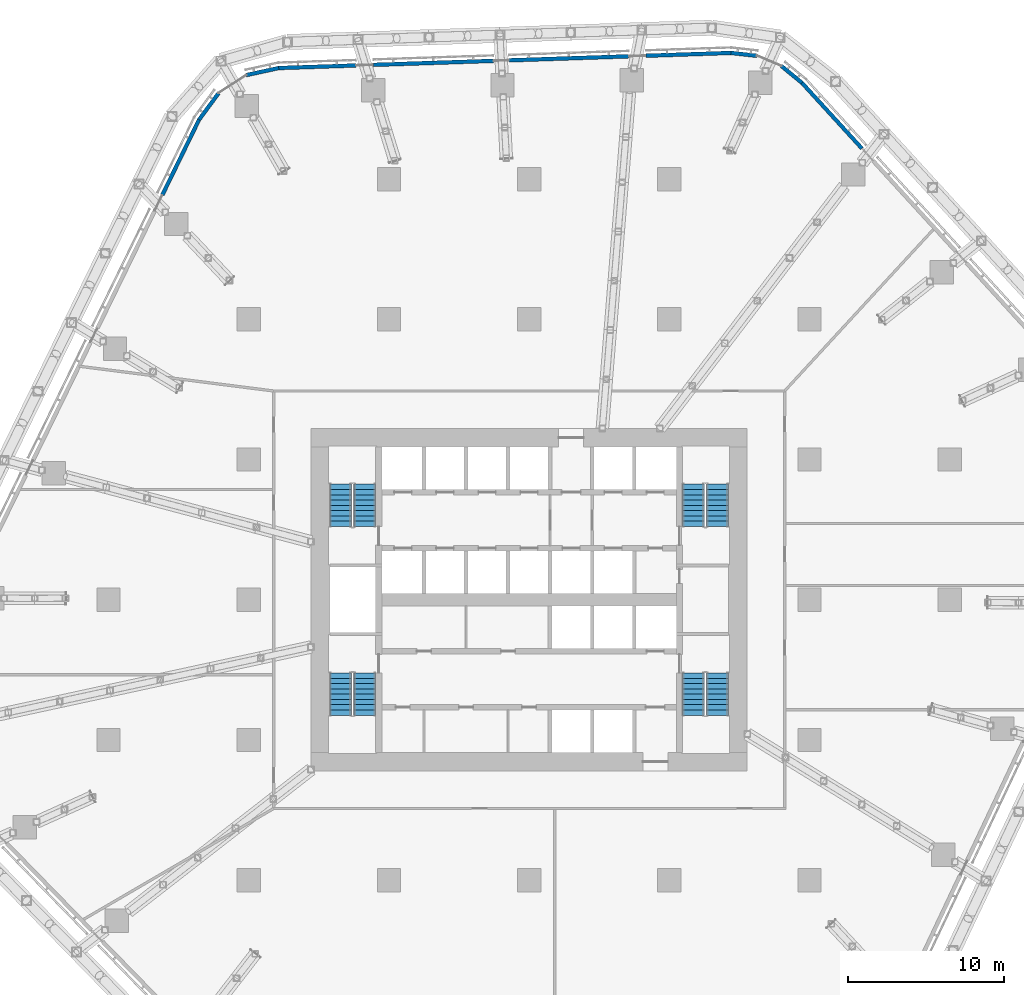
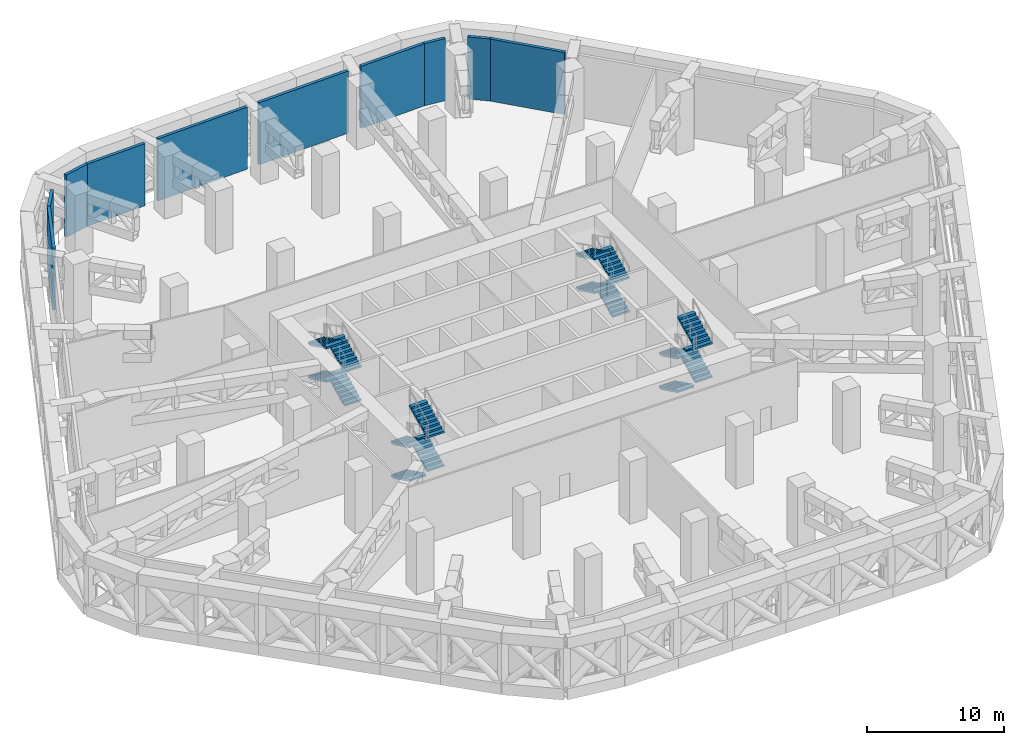
# One storey, part 20 of 38: 16 stair flights, 10 walls, 4 elements without a shape of their own.
"""IFC4 building model written with IfcOpenShell, lengths in metres."""

from ifc_helpers import new_model, si_unit, direction, frame, frame_2d, origin, place, context, subcontext, project, spatial, polyline, rectangle, outline, extrude, material, layer, layer_set, type_object, element, aggregate, save


model = new_model("IFC4")

# Units and contexts
model_context = context("Model", 3, precision=1e-05, world=origin(), true_north=direction((0.0, 1.0)))
body_context = subcontext(model_context, "Body", "Model", "MODEL_VIEW")
ifc_project = project(units=[si_unit("LENGTHUNIT", "METRE"), si_unit("AREAUNIT", "SQUARE_METRE"), si_unit("VOLUMEUNIT", "CUBIC_METRE"), si_unit("PLANEANGLEUNIT", "RADIAN"), si_unit("MASSUNIT", "GRAM", prefix="KILO")], contexts=[model_context])

# Site, building, storey
site_placement = place(None, origin())
site = spatial("IfcSite", under=ifc_project, at=site_placement, CompositionType="ELEMENT")
building_placement = place(site_placement, origin())
building = spatial("IfcBuilding", under=site, at=building_placement, Name="Dongbaek Canopy Tower", CompositionType="ELEMENT")
storey_placement = place(building_placement, frame((0.0, 0.0, 89.199951171875)))
storey = spatial("IfcBuildingStorey", under=building, at=storey_placement, Name="L18", CompositionType="ELEMENT", Elevation=89.199951171875)

# Walls
ifc_material_1 = material(Name="Pale metal cladding on insulated wall")
ifc_layer_1 = layer(ifc_material_1, 0.25)
ifc_layer_set_1 = layer_set([ifc_layer_1], Name="Plant floor wall 250")
wall_type = type_object("IfcWallType", Name="Plant floor wall 250", PredefinedType="SOLIDWALL", material=ifc_layer_set_1)
wall_1_placement = place(storey_placement, frame((21.3662109375, 28.969482421875, 0.0), z_axis=(0.0, 0.0, 1.0), x_axis=(-0.674655437401, 0.73813280701, 0.0)))
element("IfcWall", 1, at=wall_1_placement, inside=storey, type_object=wall_type, Name="Plant wall L18 F0 4", PredefinedType="SOLIDWALL", context=body_context, shape_type="SweptSolid", body=[
    extrude(rectangle(XDim=5.71142578125, YDim=0.25, at=frame_2d((2.855712890625, 0.0))), origin(), (0.0, 0.0, 1.0), 5.550048828125),
])
for number, where, z_axis, x_axis, name in (
    (2, (17.512939453125, 33.185302734375, 0.0), (0.0, 0.0, 1.0), (-0.773515598628, 0.633777262671, 0.0), "Plant wall L18 K1 1"),
    (3, (14.63818359375, 34.919189453125, 0.0), (0.0, 0.0, 1.0), (-0.993899486222, 0.110289669906, 0.0), "Plant wall L18 K1 2"),
):
    element("IfcWall", number, at=place(storey_placement, frame(where, z_axis=z_axis, x_axis=x_axis)), inside=storey, type_object=wall_type, Name=name, PredefinedType="SOLIDWALL", context=body_context, shape_type="SweptSolid", body=[
        extrude(rectangle(XDim=1.699951171875, YDim=0.25, at=frame_2d((0.85009765625, 0.0))), origin(), (0.0, 0.0, 1.0), 5.550048828125),
    ])
wall_2_placement = place(storey_placement, frame((12.948486328125, 35.106689453125, 0.0), z_axis=(0.0, 0.0, 1.0), x_axis=(-0.999441325856, -0.033422091074, 0.0)))
element("IfcWall", 4, at=wall_2_placement, inside=storey, type_object=wall_type, Name="Plant wall L18 F1 1", PredefinedType="SOLIDWALL", context=body_context, shape_type="SweptSolid", body=[
    extrude(rectangle(XDim=5.45654296875, YDim=0.25, at=frame_2d((2.728271484375, 0.0))), origin(), (0.0, 0.0, 1.0), 5.550048828125),
])
wall_3_placement = place(storey_placement, frame((6.396484375, 34.887451171875, 0.0), z_axis=(0.0, 0.0, 1.0), x_axis=(-0.99944120153, -0.033425808646, 0.0)))
element("IfcWall", 5, at=wall_3_placement, inside=storey, type_object=wall_type, Name="Plant wall L18 F1 2", PredefinedType="SOLIDWALL", context=body_context, shape_type="SweptSolid", body=[
    extrude(rectangle(XDim=7.691162109375, YDim=0.25, at=frame_2d((3.845703125, 0.0))), origin(), (0.0, 0.0, 1.0), 5.550048828125),
])
wall_4_placement = place(storey_placement, frame((-2.29736328125, 34.5966796875, 0.0), z_axis=(0.0, 0.0, 1.0), x_axis=(-0.999440043246, -0.033460423742, 0.0)))
element("IfcWall", 6, at=wall_4_placement, inside=storey, type_object=wall_type, Name="Plant wall L18 F1 3", PredefinedType="SOLIDWALL", context=body_context, shape_type="SweptSolid", body=[
    extrude(rectangle(XDim=7.705078125, YDim=0.25, at=frame_2d((3.8525390625, 0.0))), origin(), (0.0, 0.0, 1.0), 5.550048828125),
])
wall_5_placement = place(storey_placement, frame((-11.112060546875, 34.3017578125, 0.0), z_axis=(0.0, 0.0, 1.0), x_axis=(-0.999439161723, -0.033486743869, 0.0)))
element("IfcWall", 7, at=wall_5_placement, inside=storey, type_object=wall_type, Name="Plant wall L18 F1 4", PredefinedType="SOLIDWALL", context=body_context, shape_type="SweptSolid", body=[
    extrude(rectangle(XDim=4.96484375, YDim=0.25, at=frame_2d((2.482421875, 0.0))), origin(), (0.0, 0.0, 1.0), 5.550048828125),
])
for number, where, z_axis, x_axis, name in (
    (8, (-16.07421875, 34.135498046875, 0.0), (0.0, 0.0, 1.0), (-0.977193962175, -0.212348676213, 0.0), "Plant wall L18 K2 1"),
    (9, (-19.931884765625, 32.53076171875, 0.0), (0.0, 0.0, 1.0), (-0.592651038802, -0.805459338643, 0.0), "Plant wall L18 K2 2"),
):
    element("IfcWall", number, at=place(storey_placement, frame(where, z_axis=z_axis, x_axis=x_axis)), inside=storey, type_object=wall_type, Name=name, PredefinedType="SOLIDWALL", context=body_context, shape_type="SweptSolid", body=[
        extrude(rectangle(XDim=2.128173828125, YDim=0.25, at=frame_2d((1.06396484375, 0.0))), origin(), (0.0, 0.0, 1.0), 5.550048828125),
    ])
wall_6_placement = place(storey_placement, frame((-21.193115234375, 30.816650390625, 0.0), z_axis=(0.0, 0.0, 1.0), x_axis=(-0.438321567633, -0.898818225977, 0.0)))
element("IfcWall", 10, at=wall_6_placement, inside=storey, type_object=wall_type, Name="Plant wall L18 F2 1", PredefinedType="SOLIDWALL", context=body_context, shape_type="SweptSolid", body=[
    extrude(rectangle(XDim=5.372802734375, YDim=0.25, at=frame_2d((2.6865234375, 0.0))), origin(), (0.0, 0.0, 1.0), 5.550048828125),
])

# Stair, stair flights
ifc_material_2 = material(Name="Concrete C40/50", Category="concrete")
stair_type = type_object("IfcStairType", Name="Core exit stair", PredefinedType="HALF_TURN_STAIR", material=ifc_material_2)
stair_1_placement = place(storey_placement, origin())
stair_1 = element("IfcStair", 11, at=stair_1_placement, inside=storey, type_object=stair_type, Name="L18 exit stair A", PredefinedType="HALF_TURN_STAIR")
ifc_material_3 = material(Name="Concrete C40/50", Category="concrete")
ifc_layer_2 = layer(ifc_material_3, 0.14990234375)
ifc_layer_set_2 = layer_set([ifc_layer_2], Name="Core stair flight 150 waist")
stair_flight_type = type_object("IfcStairFlightType", Name="Core stair flight 150 waist", PredefinedType="STRAIGHT", material=ifc_layer_set_2)
stair_flight_1_placement = place(storey_placement, frame((12.10009765625, 4.699951171875, 0.0), z_axis=(0.0, 0.0, 1.0), x_axis=(0.0, 1.0, 0.0)))
stair_flight_1 = element("IfcStairFlight", 12, at=stair_flight_1_placement, type_object=stair_flight_type, Name="ST-A flight 1", NumberOfRisers=9, NumberOfTreads=8, PredefinedType="STRAIGHT", RiserHeight=0.166666667, TreadLength=0.34, context=body_context, shape_type="SweptSolid", body=[
    extrude(outline(polyline([(0.0, 0.0), (0.0, 0.166748046875), (0.340087890625, 0.166748046875), (0.340087890625, 0.333251953125), (0.679931640625, 0.333251953125), (0.679931640625, 0.5), (1.02001953125, 0.5), (1.02001953125, 0.666748046875), (1.360107421875, 0.666748046875), (1.360107421875, 0.833251953125), (1.699951171875, 0.833251953125), (1.699951171875, 1.0), (2.0400390625, 1.0), (2.0400390625, 1.166748046875), (2.3798828125, 1.166748046875), (2.3798828125, 1.333251953125), (2.719970703125, 1.333251953125), (2.719970703125, 1.5), (2.719970703125, 1.16650390625), (0.340576171875, 0.0), (0.0, 0.0)])), frame((0.0, 0.699951171875, 0.0), z_axis=(0.0, -1.0, 0.0), x_axis=(1.0, 0.0, 0.0)), (0.0, 0.0, 1.0), 1.39990234375),
])
stair_flight_2_placement = place(storey_placement, frame((10.550048828125, 7.419921875, 1.5), z_axis=(0.0, 0.0, 1.0), x_axis=(0.0, -1.0, 0.0)))
stair_flight_2 = element("IfcStairFlight", 13, at=stair_flight_2_placement, type_object=stair_flight_type, Name="ST-A flight 2", NumberOfRisers=9, NumberOfTreads=8, PredefinedType="STRAIGHT", RiserHeight=0.166666667, TreadLength=0.34, context=body_context, shape_type="SweptSolid", body=[
    extrude(outline(polyline([(0.0, 0.0), (0.0, 0.166748046875), (0.340087890625, 0.166748046875), (0.340087890625, 0.333251953125), (0.679931640625, 0.333251953125), (0.679931640625, 0.5), (1.02001953125, 0.5), (1.02001953125, 0.666748046875), (1.360107421875, 0.666748046875), (1.360107421875, 0.833251953125), (1.699951171875, 0.833251953125), (1.699951171875, 1.0), (2.0400390625, 1.0), (2.0400390625, 1.166748046875), (2.3798828125, 1.166748046875), (2.3798828125, 1.333251953125), (2.719970703125, 1.333251953125), (2.719970703125, 1.5), (2.719970703125, 1.16650390625), (0.340576171875, 0.0), (0.0, 0.0)])), frame((0.0, 0.699951171875, 0.0), z_axis=(0.0, -1.0, 0.0), x_axis=(1.0, 0.0, 0.0)), (0.0, 0.0, 1.0), 1.39990234375),
])
stair_flight_3_placement = place(storey_placement, frame((12.10009765625, 4.699951171875, 3.0), z_axis=(0.0, 0.0, 1.0), x_axis=(0.0, 1.0, 0.0)))
stair_flight_3 = element("IfcStairFlight", 14, at=stair_flight_3_placement, type_object=stair_flight_type, Name="ST-A flight 3", NumberOfRisers=9, NumberOfTreads=8, PredefinedType="STRAIGHT", RiserHeight=0.166666667, TreadLength=0.34, context=body_context, shape_type="SweptSolid", body=[
    extrude(outline(polyline([(0.0, 0.0), (0.0, 0.166748046875), (0.340087890625, 0.166748046875), (0.340087890625, 0.333251953125), (0.679931640625, 0.333251953125), (0.679931640625, 0.5), (1.02001953125, 0.5), (1.02001953125, 0.666748046875), (1.360107421875, 0.666748046875), (1.360107421875, 0.833251953125), (1.699951171875, 0.833251953125), (1.699951171875, 1.0), (2.0400390625, 1.0), (2.0400390625, 1.166748046875), (2.3798828125, 1.166748046875), (2.3798828125, 1.333251953125), (2.719970703125, 1.333251953125), (2.719970703125, 1.5), (2.719970703125, 1.16650390625), (0.340576171875, 0.0), (0.0, 0.0)])), frame((0.0, 0.699951171875, 0.0), z_axis=(0.0, -1.0, 0.0), x_axis=(1.0, 0.0, 0.0)), (0.0, 0.0, 1.0), 1.39990234375),
])
stair_flight_4_placement = place(storey_placement, frame((10.550048828125, 7.419921875, 4.5), z_axis=(0.0, 0.0, 1.0), x_axis=(0.0, -1.0, 0.0)))
stair_flight_4 = element("IfcStairFlight", 15, at=stair_flight_4_placement, type_object=stair_flight_type, Name="ST-A flight 4", NumberOfRisers=9, NumberOfTreads=8, PredefinedType="STRAIGHT", RiserHeight=0.166666667, TreadLength=0.34, context=body_context, shape_type="SweptSolid", body=[
    extrude(outline(polyline([(0.0, 0.0), (0.0, 0.166748046875), (0.340087890625, 0.166748046875), (0.340087890625, 0.333251953125), (0.679931640625, 0.333251953125), (0.679931640625, 0.5), (1.02001953125, 0.5), (1.02001953125, 0.666748046875), (1.360107421875, 0.666748046875), (1.360107421875, 0.833251953125), (1.699951171875, 0.833251953125), (1.699951171875, 1.0), (2.0400390625, 1.0), (2.0400390625, 1.166748046875), (2.3798828125, 1.166748046875), (2.3798828125, 1.333251953125), (2.719970703125, 1.333251953125), (2.719970703125, 1.5), (2.719970703125, 1.16650390625), (0.340576171875, 0.0), (0.0, 0.0)])), frame((0.0, 0.699951171875, 0.0), z_axis=(0.0, -1.0, 0.0), x_axis=(1.0, 0.0, 0.0)), (0.0, 0.0, 1.0), 1.39990234375),
])
aggregate(stair_1, [stair_flight_1, stair_flight_2, stair_flight_3, stair_flight_4])

stair_2_placement = place(storey_placement, origin())
stair_2 = element("IfcStair", 16, at=stair_2_placement, inside=storey, type_object=stair_type, Name="L18 exit stair C", PredefinedType="HALF_TURN_STAIR")
stair_flight_5_placement = place(storey_placement, frame((-10.550048828125, 4.699951171875, 0.0), z_axis=(0.0, 0.0, 1.0), x_axis=(0.0, 1.0, 0.0)))
stair_flight_5 = element("IfcStairFlight", 17, at=stair_flight_5_placement, type_object=stair_flight_type, Name="ST-C flight 1", NumberOfRisers=9, NumberOfTreads=8, PredefinedType="STRAIGHT", RiserHeight=0.166666667, TreadLength=0.34, context=body_context, shape_type="SweptSolid", body=[
    extrude(outline(polyline([(0.0, 0.0), (0.0, 0.166748046875), (0.340087890625, 0.166748046875), (0.340087890625, 0.333251953125), (0.679931640625, 0.333251953125), (0.679931640625, 0.5), (1.02001953125, 0.5), (1.02001953125, 0.666748046875), (1.360107421875, 0.666748046875), (1.360107421875, 0.833251953125), (1.699951171875, 0.833251953125), (1.699951171875, 1.0), (2.0400390625, 1.0), (2.0400390625, 1.166748046875), (2.3798828125, 1.166748046875), (2.3798828125, 1.333251953125), (2.719970703125, 1.333251953125), (2.719970703125, 1.5), (2.719970703125, 1.16650390625), (0.340576171875, 0.0), (0.0, 0.0)])), frame((0.0, 0.699951171875, 0.0), z_axis=(0.0, -1.0, 0.0), x_axis=(1.0, 0.0, 0.0)), (0.0, 0.0, 1.0), 1.39990234375),
])
stair_flight_6_placement = place(storey_placement, frame((-12.10009765625, 7.419921875, 1.5), z_axis=(0.0, 0.0, 1.0), x_axis=(0.0, -1.0, 0.0)))
stair_flight_6 = element("IfcStairFlight", 18, at=stair_flight_6_placement, type_object=stair_flight_type, Name="ST-C flight 2", NumberOfRisers=9, NumberOfTreads=8, PredefinedType="STRAIGHT", RiserHeight=0.166666667, TreadLength=0.34, context=body_context, shape_type="SweptSolid", body=[
    extrude(outline(polyline([(0.0, 0.0), (0.0, 0.166748046875), (0.340087890625, 0.166748046875), (0.340087890625, 0.333251953125), (0.679931640625, 0.333251953125), (0.679931640625, 0.5), (1.02001953125, 0.5), (1.02001953125, 0.666748046875), (1.360107421875, 0.666748046875), (1.360107421875, 0.833251953125), (1.699951171875, 0.833251953125), (1.699951171875, 1.0), (2.0400390625, 1.0), (2.0400390625, 1.166748046875), (2.3798828125, 1.166748046875), (2.3798828125, 1.333251953125), (2.719970703125, 1.333251953125), (2.719970703125, 1.5), (2.719970703125, 1.16650390625), (0.340576171875, 0.0), (0.0, 0.0)])), frame((0.0, 0.699951171875, 0.0), z_axis=(0.0, -1.0, 0.0), x_axis=(1.0, 0.0, 0.0)), (0.0, 0.0, 1.0), 1.39990234375),
])
stair_flight_7_placement = place(storey_placement, frame((-10.550048828125, 4.699951171875, 3.0), z_axis=(0.0, 0.0, 1.0), x_axis=(0.0, 1.0, 0.0)))
stair_flight_7 = element("IfcStairFlight", 19, at=stair_flight_7_placement, type_object=stair_flight_type, Name="ST-C flight 3", NumberOfRisers=9, NumberOfTreads=8, PredefinedType="STRAIGHT", RiserHeight=0.166666667, TreadLength=0.34, context=body_context, shape_type="SweptSolid", body=[
    extrude(outline(polyline([(0.0, 0.0), (0.0, 0.166748046875), (0.340087890625, 0.166748046875), (0.340087890625, 0.333251953125), (0.679931640625, 0.333251953125), (0.679931640625, 0.5), (1.02001953125, 0.5), (1.02001953125, 0.666748046875), (1.360107421875, 0.666748046875), (1.360107421875, 0.833251953125), (1.699951171875, 0.833251953125), (1.699951171875, 1.0), (2.0400390625, 1.0), (2.0400390625, 1.166748046875), (2.3798828125, 1.166748046875), (2.3798828125, 1.333251953125), (2.719970703125, 1.333251953125), (2.719970703125, 1.5), (2.719970703125, 1.16650390625), (0.340576171875, 0.0), (0.0, 0.0)])), frame((0.0, 0.699951171875, 0.0), z_axis=(0.0, -1.0, 0.0), x_axis=(1.0, 0.0, 0.0)), (0.0, 0.0, 1.0), 1.39990234375),
])
stair_flight_8_placement = place(storey_placement, frame((-12.10009765625, 7.419921875, 4.5), z_axis=(0.0, 0.0, 1.0), x_axis=(0.0, -1.0, 0.0)))
stair_flight_8 = element("IfcStairFlight", 20, at=stair_flight_8_placement, type_object=stair_flight_type, Name="ST-C flight 4", NumberOfRisers=9, NumberOfTreads=8, PredefinedType="STRAIGHT", RiserHeight=0.166666667, TreadLength=0.34, context=body_context, shape_type="SweptSolid", body=[
    extrude(outline(polyline([(0.0, 0.0), (0.0, 0.166748046875), (0.340087890625, 0.166748046875), (0.340087890625, 0.333251953125), (0.679931640625, 0.333251953125), (0.679931640625, 0.5), (1.02001953125, 0.5), (1.02001953125, 0.666748046875), (1.360107421875, 0.666748046875), (1.360107421875, 0.833251953125), (1.699951171875, 0.833251953125), (1.699951171875, 1.0), (2.0400390625, 1.0), (2.0400390625, 1.166748046875), (2.3798828125, 1.166748046875), (2.3798828125, 1.333251953125), (2.719970703125, 1.333251953125), (2.719970703125, 1.5), (2.719970703125, 1.16650390625), (0.340576171875, 0.0), (0.0, 0.0)])), frame((0.0, 0.699951171875, 0.0), z_axis=(0.0, -1.0, 0.0), x_axis=(1.0, 0.0, 0.0)), (0.0, 0.0, 1.0), 1.39990234375),
])
aggregate(stair_2, [stair_flight_5, stair_flight_6, stair_flight_7, stair_flight_8])

stair_3_placement = place(storey_placement, origin())
stair_3 = element("IfcStair", 21, at=stair_3_placement, inside=storey, type_object=stair_type, Name="L18 exit stair B", PredefinedType="HALF_TURN_STAIR")
stair_flight_9_placement = place(storey_placement, frame((10.550048828125, -4.699951171875, 0.0), z_axis=(0.0, 0.0, 1.0), x_axis=(0.0, -1.0, 0.0)))
stair_flight_9 = element("IfcStairFlight", 22, at=stair_flight_9_placement, type_object=stair_flight_type, Name="ST-B flight 1", NumberOfRisers=9, NumberOfTreads=8, PredefinedType="STRAIGHT", RiserHeight=0.166666667, TreadLength=0.34, context=body_context, shape_type="SweptSolid", body=[
    extrude(outline(polyline([(0.0, 0.0), (0.0, 0.166748046875), (0.340087890625, 0.166748046875), (0.340087890625, 0.333251953125), (0.679931640625, 0.333251953125), (0.679931640625, 0.5), (1.02001953125, 0.5), (1.02001953125, 0.666748046875), (1.360107421875, 0.666748046875), (1.360107421875, 0.833251953125), (1.699951171875, 0.833251953125), (1.699951171875, 1.0), (2.0400390625, 1.0), (2.0400390625, 1.166748046875), (2.3798828125, 1.166748046875), (2.3798828125, 1.333251953125), (2.719970703125, 1.333251953125), (2.719970703125, 1.5), (2.719970703125, 1.16650390625), (0.340576171875, 0.0), (0.0, 0.0)])), frame((0.0, 0.699951171875, 0.0), z_axis=(0.0, -1.0, 0.0), x_axis=(1.0, 0.0, 0.0)), (0.0, 0.0, 1.0), 1.39990234375),
])
stair_flight_10_placement = place(storey_placement, frame((12.10009765625, -7.419921875, 1.5), z_axis=(0.0, 0.0, 1.0), x_axis=(0.0, 1.0, 0.0)))
stair_flight_10 = element("IfcStairFlight", 23, at=stair_flight_10_placement, type_object=stair_flight_type, Name="ST-B flight 2", NumberOfRisers=9, NumberOfTreads=8, PredefinedType="STRAIGHT", RiserHeight=0.166666667, TreadLength=0.34, context=body_context, shape_type="SweptSolid", body=[
    extrude(outline(polyline([(0.0, 0.0), (0.0, 0.166748046875), (0.340087890625, 0.166748046875), (0.340087890625, 0.333251953125), (0.679931640625, 0.333251953125), (0.679931640625, 0.5), (1.02001953125, 0.5), (1.02001953125, 0.666748046875), (1.360107421875, 0.666748046875), (1.360107421875, 0.833251953125), (1.699951171875, 0.833251953125), (1.699951171875, 1.0), (2.0400390625, 1.0), (2.0400390625, 1.166748046875), (2.3798828125, 1.166748046875), (2.3798828125, 1.333251953125), (2.719970703125, 1.333251953125), (2.719970703125, 1.5), (2.719970703125, 1.16650390625), (0.340576171875, 0.0), (0.0, 0.0)])), frame((0.0, 0.699951171875, 0.0), z_axis=(0.0, -1.0, 0.0), x_axis=(1.0, 0.0, 0.0)), (0.0, 0.0, 1.0), 1.39990234375),
])
stair_flight_11_placement = place(storey_placement, frame((10.550048828125, -4.699951171875, 3.0), z_axis=(0.0, 0.0, 1.0), x_axis=(0.0, -1.0, 0.0)))
stair_flight_11 = element("IfcStairFlight", 24, at=stair_flight_11_placement, type_object=stair_flight_type, Name="ST-B flight 3", NumberOfRisers=9, NumberOfTreads=8, PredefinedType="STRAIGHT", RiserHeight=0.166666667, TreadLength=0.34, context=body_context, shape_type="SweptSolid", body=[
    extrude(outline(polyline([(0.0, 0.0), (0.0, 0.166748046875), (0.340087890625, 0.166748046875), (0.340087890625, 0.333251953125), (0.679931640625, 0.333251953125), (0.679931640625, 0.5), (1.02001953125, 0.5), (1.02001953125, 0.666748046875), (1.360107421875, 0.666748046875), (1.360107421875, 0.833251953125), (1.699951171875, 0.833251953125), (1.699951171875, 1.0), (2.0400390625, 1.0), (2.0400390625, 1.166748046875), (2.3798828125, 1.166748046875), (2.3798828125, 1.333251953125), (2.719970703125, 1.333251953125), (2.719970703125, 1.5), (2.719970703125, 1.16650390625), (0.340576171875, 0.0), (0.0, 0.0)])), frame((0.0, 0.699951171875, 0.0), z_axis=(0.0, -1.0, 0.0), x_axis=(1.0, 0.0, 0.0)), (0.0, 0.0, 1.0), 1.39990234375),
])
stair_flight_12_placement = place(storey_placement, frame((12.10009765625, -7.419921875, 4.5), z_axis=(0.0, 0.0, 1.0), x_axis=(0.0, 1.0, 0.0)))
stair_flight_12 = element("IfcStairFlight", 25, at=stair_flight_12_placement, type_object=stair_flight_type, Name="ST-B flight 4", NumberOfRisers=9, NumberOfTreads=8, PredefinedType="STRAIGHT", RiserHeight=0.166666667, TreadLength=0.34, context=body_context, shape_type="SweptSolid", body=[
    extrude(outline(polyline([(0.0, 0.0), (0.0, 0.166748046875), (0.340087890625, 0.166748046875), (0.340087890625, 0.333251953125), (0.679931640625, 0.333251953125), (0.679931640625, 0.5), (1.02001953125, 0.5), (1.02001953125, 0.666748046875), (1.360107421875, 0.666748046875), (1.360107421875, 0.833251953125), (1.699951171875, 0.833251953125), (1.699951171875, 1.0), (2.0400390625, 1.0), (2.0400390625, 1.166748046875), (2.3798828125, 1.166748046875), (2.3798828125, 1.333251953125), (2.719970703125, 1.333251953125), (2.719970703125, 1.5), (2.719970703125, 1.16650390625), (0.340576171875, 0.0), (0.0, 0.0)])), frame((0.0, 0.699951171875, 0.0), z_axis=(0.0, -1.0, 0.0), x_axis=(1.0, 0.0, 0.0)), (0.0, 0.0, 1.0), 1.39990234375),
])
aggregate(stair_3, [stair_flight_9, stair_flight_10, stair_flight_11, stair_flight_12])

stair_4_placement = place(storey_placement, origin())
stair_4 = element("IfcStair", 26, at=stair_4_placement, inside=storey, type_object=stair_type, Name="L18 exit stair D", PredefinedType="HALF_TURN_STAIR")
stair_flight_13_placement = place(storey_placement, frame((-12.10009765625, -4.699951171875, 0.0), z_axis=(0.0, 0.0, 1.0), x_axis=(0.0, -1.0, 0.0)))
stair_flight_13 = element("IfcStairFlight", 27, at=stair_flight_13_placement, type_object=stair_flight_type, Name="ST-D flight 1", NumberOfRisers=9, NumberOfTreads=8, PredefinedType="STRAIGHT", RiserHeight=0.166666667, TreadLength=0.34, context=body_context, shape_type="SweptSolid", body=[
    extrude(outline(polyline([(0.0, 0.0), (0.0, 0.166748046875), (0.340087890625, 0.166748046875), (0.340087890625, 0.333251953125), (0.679931640625, 0.333251953125), (0.679931640625, 0.5), (1.02001953125, 0.5), (1.02001953125, 0.666748046875), (1.360107421875, 0.666748046875), (1.360107421875, 0.833251953125), (1.699951171875, 0.833251953125), (1.699951171875, 1.0), (2.0400390625, 1.0), (2.0400390625, 1.166748046875), (2.3798828125, 1.166748046875), (2.3798828125, 1.333251953125), (2.719970703125, 1.333251953125), (2.719970703125, 1.5), (2.719970703125, 1.16650390625), (0.340576171875, 0.0), (0.0, 0.0)])), frame((0.0, 0.699951171875, 0.0), z_axis=(0.0, -1.0, 0.0), x_axis=(1.0, 0.0, 0.0)), (0.0, 0.0, 1.0), 1.39990234375),
])
stair_flight_14_placement = place(storey_placement, frame((-10.550048828125, -7.419921875, 1.5), z_axis=(0.0, 0.0, 1.0), x_axis=(0.0, 1.0, 0.0)))
stair_flight_14 = element("IfcStairFlight", 28, at=stair_flight_14_placement, type_object=stair_flight_type, Name="ST-D flight 2", NumberOfRisers=9, NumberOfTreads=8, PredefinedType="STRAIGHT", RiserHeight=0.166666667, TreadLength=0.34, context=body_context, shape_type="SweptSolid", body=[
    extrude(outline(polyline([(0.0, 0.0), (0.0, 0.166748046875), (0.340087890625, 0.166748046875), (0.340087890625, 0.333251953125), (0.679931640625, 0.333251953125), (0.679931640625, 0.5), (1.02001953125, 0.5), (1.02001953125, 0.666748046875), (1.360107421875, 0.666748046875), (1.360107421875, 0.833251953125), (1.699951171875, 0.833251953125), (1.699951171875, 1.0), (2.0400390625, 1.0), (2.0400390625, 1.166748046875), (2.3798828125, 1.166748046875), (2.3798828125, 1.333251953125), (2.719970703125, 1.333251953125), (2.719970703125, 1.5), (2.719970703125, 1.16650390625), (0.340576171875, 0.0), (0.0, 0.0)])), frame((0.0, 0.699951171875, 0.0), z_axis=(0.0, -1.0, 0.0), x_axis=(1.0, 0.0, 0.0)), (0.0, 0.0, 1.0), 1.39990234375),
])
stair_flight_15_placement = place(storey_placement, frame((-12.10009765625, -4.699951171875, 3.0), z_axis=(0.0, 0.0, 1.0), x_axis=(0.0, -1.0, 0.0)))
stair_flight_15 = element("IfcStairFlight", 29, at=stair_flight_15_placement, type_object=stair_flight_type, Name="ST-D flight 3", NumberOfRisers=9, NumberOfTreads=8, PredefinedType="STRAIGHT", RiserHeight=0.166666667, TreadLength=0.34, context=body_context, shape_type="SweptSolid", body=[
    extrude(outline(polyline([(0.0, 0.0), (0.0, 0.166748046875), (0.340087890625, 0.166748046875), (0.340087890625, 0.333251953125), (0.679931640625, 0.333251953125), (0.679931640625, 0.5), (1.02001953125, 0.5), (1.02001953125, 0.666748046875), (1.360107421875, 0.666748046875), (1.360107421875, 0.833251953125), (1.699951171875, 0.833251953125), (1.699951171875, 1.0), (2.0400390625, 1.0), (2.0400390625, 1.166748046875), (2.3798828125, 1.166748046875), (2.3798828125, 1.333251953125), (2.719970703125, 1.333251953125), (2.719970703125, 1.5), (2.719970703125, 1.16650390625), (0.340576171875, 0.0), (0.0, 0.0)])), frame((0.0, 0.699951171875, 0.0), z_axis=(0.0, -1.0, 0.0), x_axis=(1.0, 0.0, 0.0)), (0.0, 0.0, 1.0), 1.39990234375),
])
stair_flight_16_placement = place(storey_placement, frame((-10.550048828125, -7.419921875, 4.5), z_axis=(0.0, 0.0, 1.0), x_axis=(0.0, 1.0, 0.0)))
stair_flight_16 = element("IfcStairFlight", 30, at=stair_flight_16_placement, type_object=stair_flight_type, Name="ST-D flight 4", NumberOfRisers=9, NumberOfTreads=8, PredefinedType="STRAIGHT", RiserHeight=0.166666667, TreadLength=0.34, context=body_context, shape_type="SweptSolid", body=[
    extrude(outline(polyline([(0.0, 0.0), (0.0, 0.166748046875), (0.340087890625, 0.166748046875), (0.340087890625, 0.333251953125), (0.679931640625, 0.333251953125), (0.679931640625, 0.5), (1.02001953125, 0.5), (1.02001953125, 0.666748046875), (1.360107421875, 0.666748046875), (1.360107421875, 0.833251953125), (1.699951171875, 0.833251953125), (1.699951171875, 1.0), (2.0400390625, 1.0), (2.0400390625, 1.166748046875), (2.3798828125, 1.166748046875), (2.3798828125, 1.333251953125), (2.719970703125, 1.333251953125), (2.719970703125, 1.5), (2.719970703125, 1.16650390625), (0.340576171875, 0.0), (0.0, 0.0)])), frame((0.0, 0.699951171875, 0.0), z_axis=(0.0, -1.0, 0.0), x_axis=(1.0, 0.0, 0.0)), (0.0, 0.0, 1.0), 1.39990234375),
])
aggregate(stair_4, [stair_flight_13, stair_flight_14, stair_flight_15, stair_flight_16])

save(model, "model.ifc")
